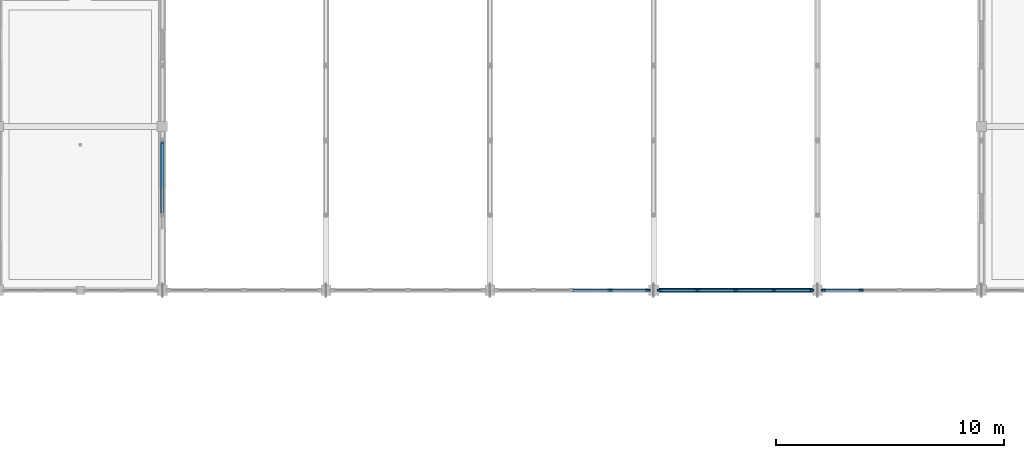
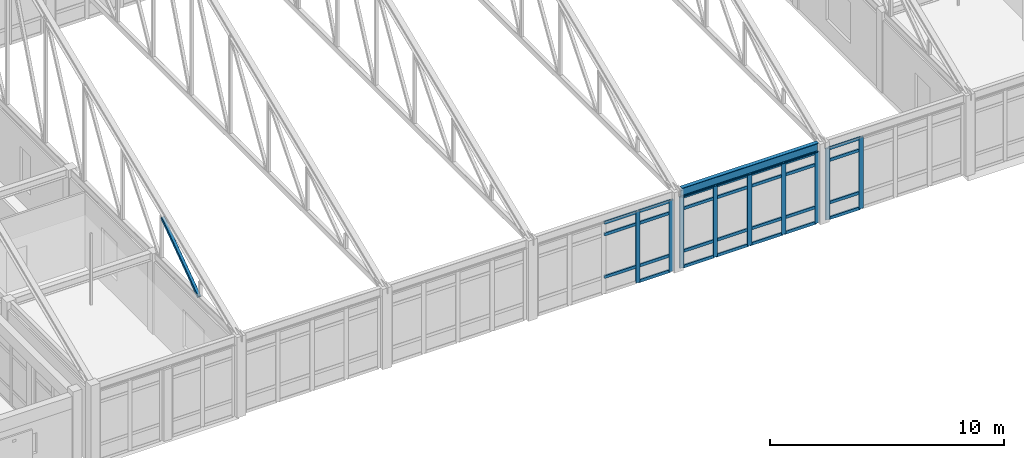
# One storey, part 18 of 136: 37 members, 1 beam, 3 elements without a shape of their own.
"""IFC4 building model written with IfcOpenShell, lengths in metres."""

from ifc_helpers import new_model, si_unit, direction, frame, origin, origin_2d, place, context, subcontext, project, spatial, rectangle, hollow_rectangle, i_section, extrude, material, layer, layer_set, material_profile, profile_set, type_object, element, aggregate, save


model = new_model("IFC4")

# Units and contexts
model_context = context("Model", 3, precision=1e-05, world=origin(), true_north=direction((0.0, 1.0)))
body_context = subcontext(model_context, "Body", "Model", "MODEL_VIEW")
ifc_project = project(units=[si_unit("LENGTHUNIT", "METRE"), si_unit("AREAUNIT", "SQUARE_METRE"), si_unit("VOLUMEUNIT", "CUBIC_METRE"), si_unit("PLANEANGLEUNIT", "RADIAN"), si_unit("MASSUNIT", "GRAM", prefix="KILO")], contexts=[model_context])

# Site, building, storey
site_placement = place(None, origin())
site = spatial("IfcSite", under=ifc_project, at=site_placement, CompositionType="ELEMENT")
building_placement = place(site_placement, origin())
building = spatial("IfcBuilding", under=site, at=building_placement, Name="Koriwan Promenade Central Fire Station", CompositionType="ELEMENT")
storey_placement = place(building_placement, frame((0.0, 0.0, 5.39990234375)))
storey = spatial("IfcBuildingStorey", under=building, at=storey_placement, Name="L01", CompositionType="ELEMENT", Elevation=5.39990234375)

# Curtain wall, members
ifc_material_1 = material(Name="Aluminium EN AW-6063-T6 and low-E glazing", Category="aluminium")
ifc_layer = layer(ifc_material_1, 0.159912109375, Name="Aluminium EN AW-6063-T6 and low-E glazing")
ifc_layer_set = layer_set([ifc_layer], Name="Aluminium EN AW-6063-T6 and low-E glazing")
curtain_wall_type = type_object("IfcCurtainWallType", Name="CurtainWall_93_675x372", PredefinedType="USERDEFINED", material=ifc_layer_set)
curtain_wall_1_placement = place(storey_placement, origin())
curtain_wall_1 = element("IfcCurtainWall", 1, at=curtain_wall_1_placement, inside=storey, type_object=curtain_wall_type, Name="V1 L01 unitised curtain wall 293", ObjectType="UNITISED CURTAIN WALL", PredefinedType="USERDEFINED")
ifc_material_2 = material(Name="Aluminium EN AW-6063-T6", Category="aluminium")
ifc_material_profile_1 = material_profile(ifc_material_2, rectangle(XDim=0.080078125, YDim=0.2099609375, at=origin_2d()), Name="ALU-MUL-80x210")
ifc_profile_set_1 = profile_set([ifc_material_profile_1], Name="Aluminium EN AW-6063-T6")
member_type_1 = type_object("IfcMemberType", Name="CWMullion_ALU-MUL-80x210", PredefinedType="MULLION", material=ifc_profile_set_1)
member_1_placement = place(storey_placement, frame((84.487548828125, 43.199951171875, 0.0), z_axis=(0.0, 0.0, 1.0), x_axis=(0.0, 1.0, 0.0)))
member_1 = element("IfcMember", 2, at=member_1_placement, type_object=member_type_1, Name="CW-93 mullion 4", PredefinedType="MULLION", context=body_context, shape_type="SweptSolid", body=[
    extrude(rectangle(XDim=0.080078125, YDim=0.2099609375, at=origin_2d()), origin(), (0.0, 0.0, 1.0), 3.72119140625),
])
member_2_placement = place(storey_placement, frame((86.135009765625, 43.199951171875, 0.0), z_axis=(0.0, 0.0, 1.0), x_axis=(0.0, 1.0, 0.0)))
member_2 = element("IfcMember", 3, at=member_2_placement, type_object=member_type_1, Name="CW-93 mullion 5", PredefinedType="MULLION", context=body_context, shape_type="SweptSolid", body=[
    extrude(rectangle(XDim=0.080078125, YDim=0.2099609375, at=origin_2d()), origin(), (0.0, 0.0, 1.0), 3.72119140625),
])

curtain_wall_2_placement = place(storey_placement, origin())
curtain_wall_2 = element("IfcCurtainWall", 4, at=curtain_wall_2_placement, inside=storey, type_object=curtain_wall_type, Name="V1 L01 unitised curtain wall 295", ObjectType="UNITISED CURTAIN WALL", PredefinedType="USERDEFINED")
member_3_placement = place(storey_placement, frame((86.6650390625, 43.199951171875, 0.0), z_axis=(0.0, 0.0, 1.0), x_axis=(0.0, 1.0, 0.0)))
member_3 = element("IfcMember", 5, at=member_3_placement, type_object=member_type_1, Name="CW-93 mullion 1", PredefinedType="MULLION", context=body_context, shape_type="SweptSolid", body=[
    extrude(rectangle(XDim=0.080078125, YDim=0.2099609375, at=origin_2d()), origin(), (0.0, 0.0, 1.0), 3.72119140625),
])
member_4_placement = place(storey_placement, frame((88.3125, 43.199951171875, 0.0), z_axis=(0.0, 0.0, 1.0), x_axis=(0.0, 1.0, 0.0)))
member_4 = element("IfcMember", 6, at=member_4_placement, type_object=member_type_1, Name="CW-93 mullion 2", PredefinedType="MULLION", context=body_context, shape_type="SweptSolid", body=[
    extrude(rectangle(XDim=0.080078125, YDim=0.2099609375, at=origin_2d()), origin(), (0.0, 0.0, 1.0), 3.72119140625),
])
member_5_placement = place(storey_placement, frame((90.0, 43.199951171875, 0.0), z_axis=(0.0, 0.0, 1.0), x_axis=(0.0, 1.0, 0.0)))
member_5 = element("IfcMember", 7, at=member_5_placement, type_object=member_type_1, Name="CW-93 mullion 3", PredefinedType="MULLION", context=body_context, shape_type="SweptSolid", body=[
    extrude(rectangle(XDim=0.080078125, YDim=0.2099609375, at=origin_2d()), origin(), (0.0, 0.0, 1.0), 3.72119140625),
])
member_6_placement = place(storey_placement, frame((91.6875, 43.199951171875, 0.0), z_axis=(0.0, 0.0, 1.0), x_axis=(0.0, 1.0, 0.0)))
member_6 = element("IfcMember", 8, at=member_6_placement, type_object=member_type_1, Name="CW-93 mullion 4", PredefinedType="MULLION", context=body_context, shape_type="SweptSolid", body=[
    extrude(rectangle(XDim=0.080078125, YDim=0.2099609375, at=origin_2d()), origin(), (0.0, 0.0, 1.0), 3.72119140625),
])
member_7_placement = place(storey_placement, frame((93.3349609375, 43.199951171875, 0.0), z_axis=(0.0, 0.0, 1.0), x_axis=(0.0, 1.0, 0.0)))
member_7 = element("IfcMember", 9, at=member_7_placement, type_object=member_type_1, Name="CW-93 mullion 5", PredefinedType="MULLION", context=body_context, shape_type="SweptSolid", body=[
    extrude(rectangle(XDim=0.080078125, YDim=0.2099609375, at=origin_2d()), origin(), (0.0, 0.0, 1.0), 3.72119140625),
])

curtain_wall_3_placement = place(storey_placement, origin())
curtain_wall_3 = element("IfcCurtainWall", 10, at=curtain_wall_3_placement, inside=storey, type_object=curtain_wall_type, Name="V1 L01 unitised curtain wall 297", ObjectType="UNITISED CURTAIN WALL", PredefinedType="USERDEFINED")
member_8_placement = place(storey_placement, frame((93.864990234375, 43.199951171875, 0.0), z_axis=(0.0, 0.0, 1.0), x_axis=(0.0, 1.0, 0.0)))
member_8 = element("IfcMember", 11, at=member_8_placement, type_object=member_type_1, Name="CW-93 mullion 1", PredefinedType="MULLION", context=body_context, shape_type="SweptSolid", body=[
    extrude(rectangle(XDim=0.080078125, YDim=0.2099609375, at=origin_2d()), origin(), (0.0, 0.0, 1.0), 3.72119140625),
])
member_9_placement = place(storey_placement, frame((95.512451171875, 43.199951171875, 0.0), z_axis=(0.0, 0.0, 1.0), x_axis=(0.0, 1.0, 0.0)))
member_9 = element("IfcMember", 12, at=member_9_placement, type_object=member_type_1, Name="CW-93 mullion 2", PredefinedType="MULLION", context=body_context, shape_type="SweptSolid", body=[
    extrude(rectangle(XDim=0.080078125, YDim=0.2099609375, at=origin_2d()), origin(), (0.0, 0.0, 1.0), 3.72119140625),
])

# Member
ifc_material_profile_2 = material_profile(ifc_material_2, rectangle(XDim=0.080078125, YDim=0.155029296875, at=origin_2d()), Name="ALU-TRN-80x155")
ifc_profile_set_2 = profile_set([ifc_material_profile_2], Name="Aluminium EN AW-6063-T6")
member_type_2 = type_object("IfcMemberType", Name="CWTransom_ALU-TRN-80x155", PredefinedType="USERDEFINED", material=ifc_profile_set_2)
member_10_placement = place(storey_placement, frame((82.840087890625, 43.199951171875, 0.85009765625), z_axis=(1.0, 0.0, 0.0), x_axis=(0.0, 1.0, 0.0)))
member_10 = element("IfcMember", 13, at=member_10_placement, type_object=member_type_2, Name="CW-93 transom 3.2", ObjectType="TRANSOM", PredefinedType="USERDEFINED", context=body_context, shape_type="SweptSolid", body=[
    extrude(rectangle(XDim=0.080078125, YDim=0.155029296875, at=origin_2d()), origin(), (0.0, 0.0, 1.0), 1.607421875),
])

member_11_placement = place(storey_placement, frame((82.840087890625, 43.199951171875, 3.071044921875), z_axis=(1.0, 0.0, 0.0), x_axis=(0.0, 1.0, 0.0)))
member_11 = element("IfcMember", 14, at=member_11_placement, type_object=member_type_2, Name="CW-93 transom 3.3", ObjectType="TRANSOM", PredefinedType="USERDEFINED", context=body_context, shape_type="SweptSolid", body=[
    extrude(rectangle(XDim=0.080078125, YDim=0.155029296875, at=origin_2d()), origin(), (0.0, 0.0, 1.0), 1.607421875),
])

member_12_placement = place(storey_placement, frame((82.840087890625, 43.199951171875, 3.68115234375), z_axis=(1.0, 0.0, 0.0), x_axis=(0.0, 1.0, 0.0)))
member_12 = element("IfcMember", 15, at=member_12_placement, type_object=member_type_2, Name="CW-93 transom 3.4", ObjectType="TRANSOM", PredefinedType="USERDEFINED", context=body_context, shape_type="SweptSolid", body=[
    extrude(rectangle(XDim=0.080078125, YDim=0.155029296875, at=origin_2d()), origin(), (0.0, 0.0, 1.0), 1.607421875),
])

member_13_placement = place(storey_placement, frame((84.527587890625, 43.199951171875, 0.0400390625), z_axis=(1.0, 0.0, 0.0), x_axis=(0.0, 1.0, 0.0)))
member_13 = element("IfcMember", 16, at=member_13_placement, type_object=member_type_2, Name="CW-93 transom 4.1", ObjectType="TRANSOM", PredefinedType="USERDEFINED", context=body_context, shape_type="SweptSolid", body=[
    extrude(rectangle(XDim=0.080078125, YDim=0.155029296875, at=origin_2d()), origin(), (0.0, 0.0, 1.0), 1.5673828125),
])

member_14_placement = place(storey_placement, frame((84.527587890625, 43.199951171875, 0.85009765625), z_axis=(1.0, 0.0, 0.0), x_axis=(0.0, 1.0, 0.0)))
member_14 = element("IfcMember", 17, at=member_14_placement, type_object=member_type_2, Name="CW-93 transom 4.2", ObjectType="TRANSOM", PredefinedType="USERDEFINED", context=body_context, shape_type="SweptSolid", body=[
    extrude(rectangle(XDim=0.080078125, YDim=0.155029296875, at=origin_2d()), origin(), (0.0, 0.0, 1.0), 1.5673828125),
])

member_15_placement = place(storey_placement, frame((84.527587890625, 43.199951171875, 3.071044921875), z_axis=(1.0, 0.0, 0.0), x_axis=(0.0, 1.0, 0.0)))
member_15 = element("IfcMember", 18, at=member_15_placement, type_object=member_type_2, Name="CW-93 transom 4.3", ObjectType="TRANSOM", PredefinedType="USERDEFINED", context=body_context, shape_type="SweptSolid", body=[
    extrude(rectangle(XDim=0.080078125, YDim=0.155029296875, at=origin_2d()), origin(), (0.0, 0.0, 1.0), 1.5673828125),
])

member_16_placement = place(storey_placement, frame((84.527587890625, 43.199951171875, 3.68115234375), z_axis=(1.0, 0.0, 0.0), x_axis=(0.0, 1.0, 0.0)))
member_16 = element("IfcMember", 19, at=member_16_placement, type_object=member_type_2, Name="CW-93 transom 4.4", ObjectType="TRANSOM", PredefinedType="USERDEFINED", context=body_context, shape_type="SweptSolid", body=[
    extrude(rectangle(XDim=0.080078125, YDim=0.155029296875, at=origin_2d()), origin(), (0.0, 0.0, 1.0), 1.5673828125),
])

aggregate(curtain_wall_1, [member_1, member_2, member_10, member_11, member_12, member_13, member_14, member_15, member_16])

member_17_placement = place(storey_placement, frame((86.705078125, 43.199951171875, 0.0400390625), z_axis=(1.0, 0.0, 0.0), x_axis=(0.0, 1.0, 0.0)))
member_17 = element("IfcMember", 20, at=member_17_placement, type_object=member_type_2, Name="CW-93 transom 1.1", ObjectType="TRANSOM", PredefinedType="USERDEFINED", context=body_context, shape_type="SweptSolid", body=[
    extrude(rectangle(XDim=0.080078125, YDim=0.155029296875, at=origin_2d()), origin(), (0.0, 0.0, 1.0), 1.5673828125),
])

member_18_placement = place(storey_placement, frame((86.705078125, 43.199951171875, 0.85009765625), z_axis=(1.0, 0.0, 0.0), x_axis=(0.0, 1.0, 0.0)))
member_18 = element("IfcMember", 21, at=member_18_placement, type_object=member_type_2, Name="CW-93 transom 1.2", ObjectType="TRANSOM", PredefinedType="USERDEFINED", context=body_context, shape_type="SweptSolid", body=[
    extrude(rectangle(XDim=0.080078125, YDim=0.155029296875, at=origin_2d()), origin(), (0.0, 0.0, 1.0), 1.5673828125),
])

member_19_placement = place(storey_placement, frame((86.705078125, 43.199951171875, 3.071044921875), z_axis=(1.0, 0.0, 0.0), x_axis=(0.0, 1.0, 0.0)))
member_19 = element("IfcMember", 22, at=member_19_placement, type_object=member_type_2, Name="CW-93 transom 1.3", ObjectType="TRANSOM", PredefinedType="USERDEFINED", context=body_context, shape_type="SweptSolid", body=[
    extrude(rectangle(XDim=0.080078125, YDim=0.155029296875, at=origin_2d()), origin(), (0.0, 0.0, 1.0), 1.5673828125),
])

member_20_placement = place(storey_placement, frame((86.705078125, 43.199951171875, 3.68115234375), z_axis=(1.0, 0.0, 0.0), x_axis=(0.0, 1.0, 0.0)))
member_20 = element("IfcMember", 23, at=member_20_placement, type_object=member_type_2, Name="CW-93 transom 1.4", ObjectType="TRANSOM", PredefinedType="USERDEFINED", context=body_context, shape_type="SweptSolid", body=[
    extrude(rectangle(XDim=0.080078125, YDim=0.155029296875, at=origin_2d()), origin(), (0.0, 0.0, 1.0), 1.5673828125),
])

member_21_placement = place(storey_placement, frame((88.3525390625, 43.199951171875, 0.0400390625), z_axis=(1.0, 0.0, 0.0), x_axis=(0.0, 1.0, 0.0)))
member_21 = element("IfcMember", 24, at=member_21_placement, type_object=member_type_2, Name="CW-93 transom 2.1", ObjectType="TRANSOM", PredefinedType="USERDEFINED", context=body_context, shape_type="SweptSolid", body=[
    extrude(rectangle(XDim=0.080078125, YDim=0.155029296875, at=origin_2d()), origin(), (0.0, 0.0, 1.0), 1.607421875),
])

member_22_placement = place(storey_placement, frame((88.3525390625, 43.199951171875, 0.85009765625), z_axis=(1.0, 0.0, 0.0), x_axis=(0.0, 1.0, 0.0)))
member_22 = element("IfcMember", 25, at=member_22_placement, type_object=member_type_2, Name="CW-93 transom 2.2", ObjectType="TRANSOM", PredefinedType="USERDEFINED", context=body_context, shape_type="SweptSolid", body=[
    extrude(rectangle(XDim=0.080078125, YDim=0.155029296875, at=origin_2d()), origin(), (0.0, 0.0, 1.0), 1.607421875),
])

member_23_placement = place(storey_placement, frame((88.3525390625, 43.199951171875, 3.071044921875), z_axis=(1.0, 0.0, 0.0), x_axis=(0.0, 1.0, 0.0)))
member_23 = element("IfcMember", 26, at=member_23_placement, type_object=member_type_2, Name="CW-93 transom 2.3", ObjectType="TRANSOM", PredefinedType="USERDEFINED", context=body_context, shape_type="SweptSolid", body=[
    extrude(rectangle(XDim=0.080078125, YDim=0.155029296875, at=origin_2d()), origin(), (0.0, 0.0, 1.0), 1.607421875),
])

member_24_placement = place(storey_placement, frame((88.3525390625, 43.199951171875, 3.68115234375), z_axis=(1.0, 0.0, 0.0), x_axis=(0.0, 1.0, 0.0)))
member_24 = element("IfcMember", 27, at=member_24_placement, type_object=member_type_2, Name="CW-93 transom 2.4", ObjectType="TRANSOM", PredefinedType="USERDEFINED", context=body_context, shape_type="SweptSolid", body=[
    extrude(rectangle(XDim=0.080078125, YDim=0.155029296875, at=origin_2d()), origin(), (0.0, 0.0, 1.0), 1.607421875),
])

member_25_placement = place(storey_placement, frame((90.0400390625, 43.199951171875, 0.0400390625), z_axis=(1.0, 0.0, 0.0), x_axis=(0.0, 1.0, 0.0)))
member_25 = element("IfcMember", 28, at=member_25_placement, type_object=member_type_2, Name="CW-93 transom 3.1", ObjectType="TRANSOM", PredefinedType="USERDEFINED", context=body_context, shape_type="SweptSolid", body=[
    extrude(rectangle(XDim=0.080078125, YDim=0.155029296875, at=origin_2d()), origin(), (0.0, 0.0, 1.0), 1.607421875),
])

member_26_placement = place(storey_placement, frame((90.0400390625, 43.199951171875, 0.85009765625), z_axis=(1.0, 0.0, 0.0), x_axis=(0.0, 1.0, 0.0)))
member_26 = element("IfcMember", 29, at=member_26_placement, type_object=member_type_2, Name="CW-93 transom 3.2", ObjectType="TRANSOM", PredefinedType="USERDEFINED", context=body_context, shape_type="SweptSolid", body=[
    extrude(rectangle(XDim=0.080078125, YDim=0.155029296875, at=origin_2d()), origin(), (0.0, 0.0, 1.0), 1.607421875),
])

member_27_placement = place(storey_placement, frame((90.0400390625, 43.199951171875, 3.071044921875), z_axis=(1.0, 0.0, 0.0), x_axis=(0.0, 1.0, 0.0)))
member_27 = element("IfcMember", 30, at=member_27_placement, type_object=member_type_2, Name="CW-93 transom 3.3", ObjectType="TRANSOM", PredefinedType="USERDEFINED", context=body_context, shape_type="SweptSolid", body=[
    extrude(rectangle(XDim=0.080078125, YDim=0.155029296875, at=origin_2d()), origin(), (0.0, 0.0, 1.0), 1.607421875),
])

member_28_placement = place(storey_placement, frame((90.0400390625, 43.199951171875, 3.68115234375), z_axis=(1.0, 0.0, 0.0), x_axis=(0.0, 1.0, 0.0)))
member_28 = element("IfcMember", 31, at=member_28_placement, type_object=member_type_2, Name="CW-93 transom 3.4", ObjectType="TRANSOM", PredefinedType="USERDEFINED", context=body_context, shape_type="SweptSolid", body=[
    extrude(rectangle(XDim=0.080078125, YDim=0.155029296875, at=origin_2d()), origin(), (0.0, 0.0, 1.0), 1.607421875),
])

member_29_placement = place(storey_placement, frame((91.7275390625, 43.199951171875, 0.0400390625), z_axis=(1.0, 0.0, 0.0), x_axis=(0.0, 1.0, 0.0)))
member_29 = element("IfcMember", 32, at=member_29_placement, type_object=member_type_2, Name="CW-93 transom 4.1", ObjectType="TRANSOM", PredefinedType="USERDEFINED", context=body_context, shape_type="SweptSolid", body=[
    extrude(rectangle(XDim=0.080078125, YDim=0.155029296875, at=origin_2d()), origin(), (0.0, 0.0, 1.0), 1.5673828125),
])

member_30_placement = place(storey_placement, frame((91.7275390625, 43.199951171875, 0.85009765625), z_axis=(1.0, 0.0, 0.0), x_axis=(0.0, 1.0, 0.0)))
member_30 = element("IfcMember", 33, at=member_30_placement, type_object=member_type_2, Name="CW-93 transom 4.2", ObjectType="TRANSOM", PredefinedType="USERDEFINED", context=body_context, shape_type="SweptSolid", body=[
    extrude(rectangle(XDim=0.080078125, YDim=0.155029296875, at=origin_2d()), origin(), (0.0, 0.0, 1.0), 1.5673828125),
])

member_31_placement = place(storey_placement, frame((91.7275390625, 43.199951171875, 3.071044921875), z_axis=(1.0, 0.0, 0.0), x_axis=(0.0, 1.0, 0.0)))
member_31 = element("IfcMember", 34, at=member_31_placement, type_object=member_type_2, Name="CW-93 transom 4.3", ObjectType="TRANSOM", PredefinedType="USERDEFINED", context=body_context, shape_type="SweptSolid", body=[
    extrude(rectangle(XDim=0.080078125, YDim=0.155029296875, at=origin_2d()), origin(), (0.0, 0.0, 1.0), 1.5673828125),
])

member_32_placement = place(storey_placement, frame((91.7275390625, 43.199951171875, 3.68115234375), z_axis=(1.0, 0.0, 0.0), x_axis=(0.0, 1.0, 0.0)))
member_32 = element("IfcMember", 35, at=member_32_placement, type_object=member_type_2, Name="CW-93 transom 4.4", ObjectType="TRANSOM", PredefinedType="USERDEFINED", context=body_context, shape_type="SweptSolid", body=[
    extrude(rectangle(XDim=0.080078125, YDim=0.155029296875, at=origin_2d()), origin(), (0.0, 0.0, 1.0), 1.5673828125),
])

aggregate(curtain_wall_2, [member_3, member_4, member_5, member_6, member_7, member_17, member_18, member_19, member_20, member_21, member_22, member_23, member_24, member_25, member_26, member_27, member_28, member_29, member_30, member_31, member_32])

member_33_placement = place(storey_placement, frame((93.905029296875, 43.199951171875, 0.0400390625), z_axis=(1.0, 0.0, 0.0), x_axis=(0.0, 1.0, 0.0)))
member_33 = element("IfcMember", 36, at=member_33_placement, type_object=member_type_2, Name="CW-93 transom 1.1", ObjectType="TRANSOM", PredefinedType="USERDEFINED", context=body_context, shape_type="SweptSolid", body=[
    extrude(rectangle(XDim=0.080078125, YDim=0.155029296875, at=origin_2d()), origin(), (0.0, 0.0, 1.0), 1.5673828125),
])

member_34_placement = place(storey_placement, frame((93.905029296875, 43.199951171875, 0.85009765625), z_axis=(1.0, 0.0, 0.0), x_axis=(0.0, 1.0, 0.0)))
member_34 = element("IfcMember", 37, at=member_34_placement, type_object=member_type_2, Name="CW-93 transom 1.2", ObjectType="TRANSOM", PredefinedType="USERDEFINED", context=body_context, shape_type="SweptSolid", body=[
    extrude(rectangle(XDim=0.080078125, YDim=0.155029296875, at=origin_2d()), origin(), (0.0, 0.0, 1.0), 1.5673828125),
])

member_35_placement = place(storey_placement, frame((93.905029296875, 43.199951171875, 3.071044921875), z_axis=(1.0, 0.0, 0.0), x_axis=(0.0, 1.0, 0.0)))
member_35 = element("IfcMember", 38, at=member_35_placement, type_object=member_type_2, Name="CW-93 transom 1.3", ObjectType="TRANSOM", PredefinedType="USERDEFINED", context=body_context, shape_type="SweptSolid", body=[
    extrude(rectangle(XDim=0.080078125, YDim=0.155029296875, at=origin_2d()), origin(), (0.0, 0.0, 1.0), 1.5673828125),
])

member_36_placement = place(storey_placement, frame((93.905029296875, 43.199951171875, 3.68115234375), z_axis=(1.0, 0.0, 0.0), x_axis=(0.0, 1.0, 0.0)))
member_36 = element("IfcMember", 39, at=member_36_placement, type_object=member_type_2, Name="CW-93 transom 1.4", ObjectType="TRANSOM", PredefinedType="USERDEFINED", context=body_context, shape_type="SweptSolid", body=[
    extrude(rectangle(XDim=0.080078125, YDim=0.155029296875, at=origin_2d()), origin(), (0.0, 0.0, 1.0), 1.5673828125),
])

aggregate(curtain_wall_3, [member_8, member_9, member_33, member_34, member_35, member_36])

ifc_material_3 = material(Name="Steel ASTM A500 Grade C", Category="steel")
ifc_material_profile_3 = material_profile(ifc_material_3, hollow_rectangle(XDim=0.14990234375, YDim=0.14990234375, WallThickness=0.008056640625, InnerFilletRadius=0.008056640625, OuterFilletRadius=0.01611328125, at=origin_2d()), Name="HSS150x150x8")
ifc_profile_set_3 = profile_set([ifc_material_profile_3], Name="Steel ASTM A500 Grade C")
member_type_3 = type_object("IfcMemberType", Name="Member_STRUT_HSS150x150x8", PredefinedType="STRUT", material=ifc_profile_set_3)
member_37_placement = place(storey_placement, frame((64.800048828125, 46.580078125, 4.070068359375), z_axis=(0.0, 0.812399692359, 0.583100968834), x_axis=(-1.0, 0.0, 0.0)))
element("IfcMember", 40, at=member_37_placement, inside=storey, type_object=member_type_3, Name="TR_V1_02 web diagonal 2", PredefinedType="STRUT", context=body_context, shape_type="SweptSolid", body=[
    extrude(hollow_rectangle(XDim=0.14990234375, YDim=0.14990234375, WallThickness=0.008056640625, InnerFilletRadius=0.008056640625, OuterFilletRadius=0.01611328125, at=origin_2d()), origin(), (0.0, 0.0, 1.0), 3.864990234375),
])

# Beam
ifc_material_4 = material(Name="Steel ASTM A992 Grade 50", Category="steel")
ifc_material_profile_4 = material_profile(ifc_material_4, i_section(OverallWidth=0.194091796875, OverallDepth=0.468994140625, WebThickness=0.0126953125, FlangeThickness=0.0205078125, FilletRadius=0.01806640625, at=origin_2d()), Name="W460x106")
ifc_profile_set_4 = profile_set([ifc_material_profile_4], Name="Steel ASTM A992 Grade 50")
beam_type = type_object("IfcBeamType", Name="SteelBeam_W460x106", PredefinedType="BEAM", material=ifc_profile_set_4)
beam_placement = place(storey_placement, frame((86.625, 43.199951171875, 3.965576171875), z_axis=(1.0, 0.0, 0.0), x_axis=(0.0, 1.0, 0.0)))
element("IfcBeam", 41, at=beam_placement, inside=storey, type_object=beam_type, Name="V1 L01 girder X-44", PredefinedType="BEAM", context=body_context, shape_type="SweptSolid", body=[
    extrude(i_section(OverallWidth=0.194091796875, OverallDepth=0.468994140625, WebThickness=0.0126953125, FlangeThickness=0.0205078125, FilletRadius=0.01806640625, at=origin_2d()), origin(), (0.0, 0.0, 1.0), 6.75),
])

save(model, "model.ifc")
